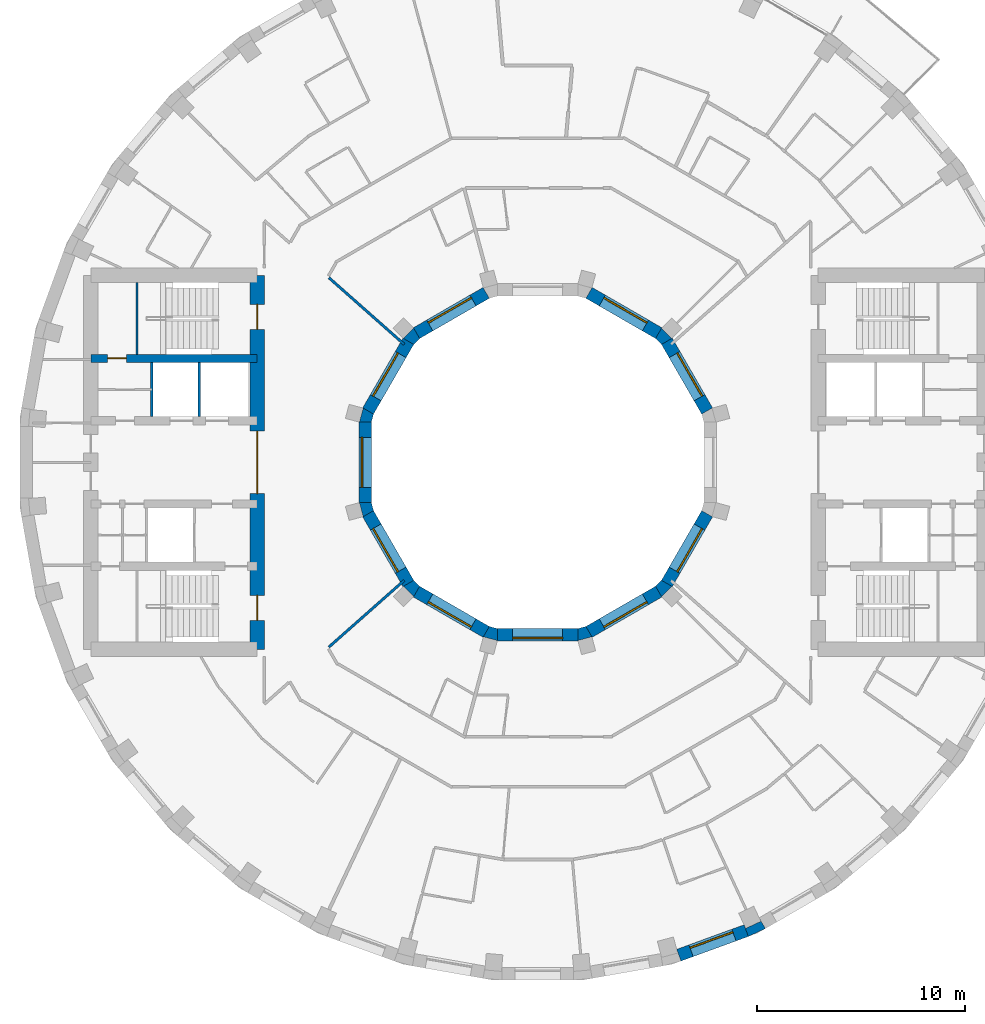
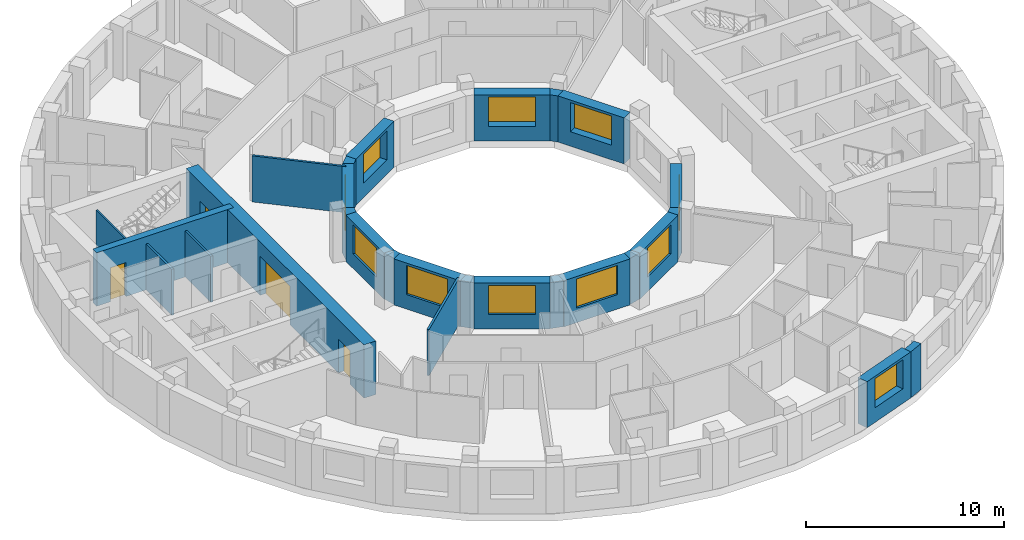
# One storey, part 6 of 13: 27 walls, 11 windows, 4 doors, 15 openings.
"""IFC4 building model written with IfcOpenShell, lengths in metres."""

from ifc_helpers import new_model, si_unit, direction, frame, frame_2d, origin, place, context, subcontext, project, spatial, polyline, rectangle, outline, extrude, material, layer, layer_set, type_object, element, fill, save


model = new_model("IFC4")

# Units and contexts
model_context = context("Model", 3, precision=1e-05, world=origin(), true_north=direction((0.0, 1.0)))
body_context = subcontext(model_context, "Body", "Model", "MODEL_VIEW")
ifc_project = project(units=[si_unit("LENGTHUNIT", "METRE"), si_unit("AREAUNIT", "SQUARE_METRE"), si_unit("VOLUMEUNIT", "CUBIC_METRE"), si_unit("PLANEANGLEUNIT", "RADIAN"), si_unit("MASSUNIT", "GRAM", prefix="KILO")], contexts=[model_context])

# Site, building, storey
site_placement = place(None, origin())
site = spatial("IfcSite", under=ifc_project, at=site_placement, CompositionType="ELEMENT")
building_placement = place(site_placement, origin())
building = spatial("IfcBuilding", under=site, at=building_placement, Name="Saqina Gate Tower", CompositionType="ELEMENT")
storey_placement = place(building_placement, frame((0.0, 0.0, 200.39990234375)))
storey = spatial("IfcBuildingStorey", under=building, at=storey_placement, Name="L57", CompositionType="ELEMENT", Elevation=200.39990234375)

# Wall
ifc_material_1 = material(Name="Brick masonry (buff)", Category="masonry")
wall_type_1 = type_object("IfcWallType", Name="BRICK PIER COPING BUFF", PredefinedType="SOLIDWALL", material=ifc_material_1)
wall_1_placement = place(storey_placement, origin())
element("IfcWall", 1, at=wall_1_placement, inside=storey, type_object=wall_type_1, Name="Pier cap L57 column 30", PredefinedType="SOLIDWALL", context=body_context, shape_type="SweptSolid", body=[
    extrude(outline(polyline([(10.958740234375, -22.4306640625), (10.65869140625, -21.9111328125), (10.73779296875, -22.080810546875), (10.0126953125, -22.4189453125), (9.93359375, -22.249267578125), (10.138916015625, -22.81298828125), (10.958740234375, -22.4306640625)])), origin(), (0.0, 0.0, 1.0), 2.85009765625),
])

# Wall, opening, window
ifc_material_2 = material(Name="Brick masonry (buff)", Category="masonry")
ifc_layer_1 = layer(ifc_material_2, 0.60009765625)
ifc_layer_set_1 = layer_set([ifc_layer_1], Name="FW-BRICK-BUFF")
wall_type_2 = type_object("IfcWallType", Name="FW-BRICK-BUFF", PredefinedType="SOLIDWALL", material=ifc_layer_set_1)
wall_2_placement = place(storey_placement, frame((6.79443359375, -23.7109375, 0.0), z_axis=(0.0, 0.0, 1.0), x_axis=(0.93968799822, 0.342032843455, 0.0)))
wall_2 = element("IfcWall", 2, at=wall_2_placement, inside=storey, type_object=wall_type_2, Name="Facade wall L57 facet 29", PredefinedType="SOLIDWALL", context=body_context, shape_type="SweptSolid", body=[
    extrude(rectangle(XDim=3.44970703125, YDim=0.60009765625, at=frame_2d((1.724853515625, 0.0))), origin(), (0.0, 0.0, 1.0), 2.85009765625),
])
opening_1_placement = place(wall_2_placement, frame((0.625, 0.0, 0.89990234375)))
opening_1 = element("IfcOpeningElement", 3, at=opening_1_placement, cuts=wall_2, Name="Opening G17-W18", PredefinedType="OPENING", context=body_context, shape_type="SweptSolid", body=[
    extrude(rectangle(XDim=2.199951171875, YDim=1.800048828125, at=frame_2d((1.10009765625, 0.89990234375))), frame((0.0, 0.31201171875, 0.0), z_axis=(0.0, -1.0, 0.0), x_axis=(1.0, 0.0, 0.0)), (0.0, 0.0, 1.0), 0.6240234375),
])
ifc_material_3 = material(Name="Aluminium glazing", Category="aluminium")
window_type_1 = type_object("IfcWindowType", Name="WN-C", PartitioningType="SINGLE_PANEL", PredefinedType="WINDOW", material=ifc_material_3)
window_1_placement = place(opening_1_placement, origin())
window_1 = element("IfcWindow", 4, at=window_1_placement, inside=storey, type_object=window_type_1, Name="Window L57 facet 29", OverallHeight=1.800048828125, OverallWidth=2.199951171875, PartitioningType="SINGLE_PANEL", PredefinedType="WINDOW", context=body_context, shape_type="SweptSolid", body=[
    extrude(rectangle(XDim=2.199951171875, YDim=1.800048828125, at=frame_2d((1.10009765625, 0.89990234375))), frame((0.0, 0.179931640625, 0.0), z_axis=(0.0, -1.0, 0.0), x_axis=(1.0, 0.0, 0.0)), (0.0, 0.0, 1.0), 0.06005859375),
])
fill(opening_1, window_1)

ifc_material_4 = material(Name="Glazed ceramic tile", Category="ceramic")
ifc_layer_2 = layer(ifc_material_4, 0.60009765625)
ifc_layer_set_2 = layer_set([ifc_layer_2], Name="IW-TILE")
wall_type_3 = type_object("IfcWallType", Name="IW-TILE", PredefinedType="SOLIDWALL", material=ifc_layer_set_2)
wall_3_placement = place(storey_placement, frame((8.155517578125, 2.474365234375, 0.0), z_axis=(0.0, 0.0, 1.0), x_axis=(-0.500033728941, 0.866005929495, 0.0)))
wall_3 = element("IfcWall", 5, at=wall_3_placement, inside=storey, type_object=wall_type_3, Name="Well wall L57 facet 1", PredefinedType="SOLIDWALL", context=body_context, shape_type="SweptSolid", body=[
    extrude(rectangle(XDim=3.869873046875, YDim=0.60009765625, at=frame_2d((1.93505859375, 0.0))), origin(), (0.0, 0.0, 1.0), 2.85009765625),
])
opening_2_placement = place(wall_3_placement, frame((0.73486328125, 0.0, 0.89990234375)))
opening_2 = element("IfcOpeningElement", 6, at=opening_2_placement, cuts=wall_3, Name="Opening G17-W23", PredefinedType="OPENING", context=body_context, shape_type="SweptSolid", body=[
    extrude(rectangle(XDim=2.39990234375, YDim=1.800048828125, at=frame_2d((1.199951171875, 0.89990234375))), frame((0.0, 0.31201171875, 0.0), z_axis=(0.0, -1.0, 0.0), x_axis=(1.0, 0.0, 0.0)), (0.0, 0.0, 1.0), 0.6240234375),
])
ifc_material_5 = material(Name="Aluminium glazing", Category="aluminium")
window_type_2 = type_object("IfcWindowType", Name="WN-W", PartitioningType="SINGLE_PANEL", PredefinedType="WINDOW", material=ifc_material_5)
window_2_placement = place(opening_2_placement, origin())
window_2 = element("IfcWindow", 7, at=window_2_placement, inside=storey, type_object=window_type_2, Name="Well window L57 facet 1", OverallHeight=1.800048828125, OverallWidth=2.39990234375, PartitioningType="SINGLE_PANEL", PredefinedType="WINDOW", context=body_context, shape_type="SweptSolid", body=[
    extrude(rectangle(XDim=2.39990234375, YDim=1.800048828125, at=frame_2d((1.199951171875, 0.89990234375))), frame((0.0, -0.119873046875, 0.0), z_axis=(0.0, -1.0, 0.0), x_axis=(1.0, 0.0, 0.0)), (0.0, 0.0, 1.0), 0.06005859375),
])
fill(opening_2, window_2)

wall_4_placement = place(storey_placement, frame((5.82568359375, 6.220458984375, 0.0), z_axis=(0.0, 0.0, 1.0), x_axis=(-0.866005929495, 0.500033728941, 0.0)))
wall_4 = element("IfcWall", 8, at=wall_4_placement, inside=storey, type_object=wall_type_3, Name="Well wall L57 facet 2", PredefinedType="SOLIDWALL", context=body_context, shape_type="SweptSolid", body=[
    extrude(rectangle(XDim=3.869873046875, YDim=0.60009765625, at=frame_2d((1.93505859375, 0.0))), origin(), (0.0, 0.0, 1.0), 2.85009765625),
])
opening_3_placement = place(wall_4_placement, frame((0.73486328125, 0.0, 0.89990234375)))
opening_3 = element("IfcOpeningElement", 9, at=opening_3_placement, cuts=wall_4, Name="Opening G17-W24", PredefinedType="OPENING", context=body_context, shape_type="SweptSolid", body=[
    extrude(rectangle(XDim=2.39990234375, YDim=1.800048828125, at=frame_2d((1.199951171875, 0.89990234375))), frame((0.0, 0.31201171875, 0.0), z_axis=(0.0, -1.0, 0.0), x_axis=(1.0, 0.0, 0.0)), (0.0, 0.0, 1.0), 0.6240234375),
])
window_3_placement = place(opening_3_placement, origin())
window_3 = element("IfcWindow", 10, at=window_3_placement, inside=storey, type_object=window_type_2, Name="Well window L57 facet 2", OverallHeight=1.800048828125, OverallWidth=2.39990234375, PartitioningType="SINGLE_PANEL", PredefinedType="WINDOW", context=body_context, shape_type="SweptSolid", body=[
    extrude(rectangle(XDim=2.39990234375, YDim=1.800048828125, at=frame_2d((1.199951171875, 0.89990234375))), frame((0.0, -0.119873046875, 0.0), z_axis=(0.0, -1.0, 0.0), x_axis=(1.0, 0.0, 0.0)), (0.0, 0.0, 1.0), 0.06005859375),
])
fill(opening_3, window_3)

wall_5_placement = place(storey_placement, frame((-2.474365234375, 8.155517578125, 0.0), z_axis=(0.0, 0.0, 1.0), x_axis=(-0.866005929495, -0.500033728941, 0.0)))
wall_5 = element("IfcWall", 11, at=wall_5_placement, inside=storey, type_object=wall_type_3, Name="Well wall L57 facet 4", PredefinedType="SOLIDWALL", context=body_context, shape_type="SweptSolid", body=[
    extrude(rectangle(XDim=3.869873046875, YDim=0.60009765625, at=frame_2d((1.93505859375, 0.0))), origin(), (0.0, 0.0, 1.0), 2.85009765625),
])
opening_4_placement = place(wall_5_placement, frame((0.73486328125, 0.0, 0.89990234375)))
opening_4 = element("IfcOpeningElement", 12, at=opening_4_placement, cuts=wall_5, Name="Opening G17-W26", PredefinedType="OPENING", context=body_context, shape_type="SweptSolid", body=[
    extrude(rectangle(XDim=2.39990234375, YDim=1.800048828125, at=frame_2d((1.199951171875, 0.89990234375))), frame((0.0, 0.31201171875, 0.0), z_axis=(0.0, -1.0, 0.0), x_axis=(1.0, 0.0, 0.0)), (0.0, 0.0, 1.0), 0.6240234375),
])
window_4_placement = place(opening_4_placement, origin())
window_4 = element("IfcWindow", 13, at=window_4_placement, inside=storey, type_object=window_type_2, Name="Well window L57 facet 4", OverallHeight=1.800048828125, OverallWidth=2.39990234375, PartitioningType="SINGLE_PANEL", PredefinedType="WINDOW", context=body_context, shape_type="SweptSolid", body=[
    extrude(rectangle(XDim=2.39990234375, YDim=1.800048828125, at=frame_2d((1.199951171875, 0.89990234375))), frame((0.0, -0.119873046875, 0.0), z_axis=(0.0, -1.0, 0.0), x_axis=(1.0, 0.0, 0.0)), (0.0, 0.0, 1.0), 0.06005859375),
])
fill(opening_4, window_4)

wall_6_placement = place(storey_placement, frame((-6.220458984375, 5.82568359375, 0.0), z_axis=(0.0, 0.0, 1.0), x_axis=(-0.500033728941, -0.866005929495, 0.0)))
wall_6 = element("IfcWall", 14, at=wall_6_placement, inside=storey, type_object=wall_type_3, Name="Well wall L57 facet 5", PredefinedType="SOLIDWALL", context=body_context, shape_type="SweptSolid", body=[
    extrude(rectangle(XDim=3.869873046875, YDim=0.60009765625, at=frame_2d((1.93505859375, 0.0))), origin(), (0.0, 0.0, 1.0), 2.85009765625),
])
opening_5_placement = place(wall_6_placement, frame((0.73486328125, 0.0, 0.89990234375)))
opening_5 = element("IfcOpeningElement", 15, at=opening_5_placement, cuts=wall_6, Name="Opening G17-W27", PredefinedType="OPENING", context=body_context, shape_type="SweptSolid", body=[
    extrude(rectangle(XDim=2.39990234375, YDim=1.800048828125, at=frame_2d((1.199951171875, 0.89990234375))), frame((0.0, 0.31201171875, 0.0), z_axis=(0.0, -1.0, 0.0), x_axis=(1.0, 0.0, 0.0)), (0.0, 0.0, 1.0), 0.6240234375),
])
window_5_placement = place(opening_5_placement, origin())
window_5 = element("IfcWindow", 16, at=window_5_placement, inside=storey, type_object=window_type_2, Name="Well window L57 facet 5", OverallHeight=1.800048828125, OverallWidth=2.39990234375, PartitioningType="SINGLE_PANEL", PredefinedType="WINDOW", context=body_context, shape_type="SweptSolid", body=[
    extrude(rectangle(XDim=2.39990234375, YDim=1.800048828125, at=frame_2d((1.199951171875, 0.89990234375))), frame((0.0, -0.119873046875, 0.0), z_axis=(0.0, -1.0, 0.0), x_axis=(1.0, 0.0, 0.0)), (0.0, 0.0, 1.0), 0.06005859375),
])
fill(opening_5, window_5)

wall_7_placement = place(storey_placement, frame((-8.300048828125, 1.934814453125, 0.0), z_axis=(0.0, 0.0, 1.0), x_axis=(0.0, -1.0, 0.0)))
wall_7 = element("IfcWall", 17, at=wall_7_placement, inside=storey, type_object=wall_type_3, Name="Well wall L57 facet 6", PredefinedType="SOLIDWALL", context=body_context, shape_type="SweptSolid", body=[
    extrude(rectangle(XDim=3.86962890625, YDim=0.60009765625, at=frame_2d((1.934814453125, 0.0))), origin(), (0.0, 0.0, 1.0), 2.85009765625),
])
opening_6_placement = place(wall_7_placement, frame((0.73486328125, 0.0, 0.89990234375)))
opening_6 = element("IfcOpeningElement", 18, at=opening_6_placement, cuts=wall_7, Name="Opening G17-W28", PredefinedType="OPENING", context=body_context, shape_type="SweptSolid", body=[
    extrude(rectangle(XDim=2.39990234375, YDim=1.800048828125, at=frame_2d((1.199951171875, 0.89990234375))), frame((0.0, 0.31201171875, 0.0), z_axis=(0.0, -1.0, 0.0), x_axis=(1.0, 0.0, 0.0)), (0.0, 0.0, 1.0), 0.6240234375),
])
window_6_placement = place(opening_6_placement, origin())
window_6 = element("IfcWindow", 19, at=window_6_placement, inside=storey, type_object=window_type_2, Name="Well window L57 facet 6", OverallHeight=1.800048828125, OverallWidth=2.39990234375, PartitioningType="SINGLE_PANEL", PredefinedType="WINDOW", context=body_context, shape_type="SweptSolid", body=[
    extrude(rectangle(XDim=2.39990234375, YDim=1.800048828125, at=frame_2d((1.199951171875, 0.89990234375))), frame((0.0, -0.119873046875, 0.0), z_axis=(0.0, -1.0, 0.0), x_axis=(1.0, 0.0, 0.0)), (0.0, 0.0, 1.0), 0.06005859375),
])
fill(opening_6, window_6)

wall_8_placement = place(storey_placement, frame((-8.155517578125, -2.474365234375, 0.0), z_axis=(0.0, 0.0, 1.0), x_axis=(0.500033728941, -0.866005929495, 0.0)))
wall_8 = element("IfcWall", 20, at=wall_8_placement, inside=storey, type_object=wall_type_3, Name="Well wall L57 facet 7", PredefinedType="SOLIDWALL", context=body_context, shape_type="SweptSolid", body=[
    extrude(rectangle(XDim=3.869873046875, YDim=0.60009765625, at=frame_2d((1.93505859375, 0.0))), origin(), (0.0, 0.0, 1.0), 2.85009765625),
])
opening_7_placement = place(wall_8_placement, frame((0.73486328125, 0.0, 0.89990234375)))
opening_7 = element("IfcOpeningElement", 21, at=opening_7_placement, cuts=wall_8, Name="Opening G17-W29", PredefinedType="OPENING", context=body_context, shape_type="SweptSolid", body=[
    extrude(rectangle(XDim=2.39990234375, YDim=1.800048828125, at=frame_2d((1.199951171875, 0.89990234375))), frame((0.0, 0.31201171875, 0.0), z_axis=(0.0, -1.0, 0.0), x_axis=(1.0, 0.0, 0.0)), (0.0, 0.0, 1.0), 0.6240234375),
])
window_7_placement = place(opening_7_placement, origin())
window_7 = element("IfcWindow", 22, at=window_7_placement, inside=storey, type_object=window_type_2, Name="Well window L57 facet 7", OverallHeight=1.800048828125, OverallWidth=2.39990234375, PartitioningType="SINGLE_PANEL", PredefinedType="WINDOW", context=body_context, shape_type="SweptSolid", body=[
    extrude(rectangle(XDim=2.39990234375, YDim=1.800048828125, at=frame_2d((1.199951171875, 0.89990234375))), frame((0.0, -0.119873046875, 0.0), z_axis=(0.0, -1.0, 0.0), x_axis=(1.0, 0.0, 0.0)), (0.0, 0.0, 1.0), 0.06005859375),
])
fill(opening_7, window_7)

wall_9_placement = place(storey_placement, frame((-5.82568359375, -6.220458984375, 0.0), z_axis=(0.0, 0.0, 1.0), x_axis=(0.866005929495, -0.500033728941, 0.0)))
wall_9 = element("IfcWall", 23, at=wall_9_placement, inside=storey, type_object=wall_type_3, Name="Well wall L57 facet 8", PredefinedType="SOLIDWALL", context=body_context, shape_type="SweptSolid", body=[
    extrude(rectangle(XDim=3.869873046875, YDim=0.60009765625, at=frame_2d((1.93505859375, 0.0))), origin(), (0.0, 0.0, 1.0), 2.85009765625),
])
opening_8_placement = place(wall_9_placement, frame((0.73486328125, 0.0, 0.89990234375)))
opening_8 = element("IfcOpeningElement", 24, at=opening_8_placement, cuts=wall_9, Name="Opening G17-W30", PredefinedType="OPENING", context=body_context, shape_type="SweptSolid", body=[
    extrude(rectangle(XDim=2.39990234375, YDim=1.800048828125, at=frame_2d((1.199951171875, 0.89990234375))), frame((0.0, 0.31201171875, 0.0), z_axis=(0.0, -1.0, 0.0), x_axis=(1.0, 0.0, 0.0)), (0.0, 0.0, 1.0), 0.6240234375),
])
window_8_placement = place(opening_8_placement, origin())
window_8 = element("IfcWindow", 25, at=window_8_placement, inside=storey, type_object=window_type_2, Name="Well window L57 facet 8", OverallHeight=1.800048828125, OverallWidth=2.39990234375, PartitioningType="SINGLE_PANEL", PredefinedType="WINDOW", context=body_context, shape_type="SweptSolid", body=[
    extrude(rectangle(XDim=2.39990234375, YDim=1.800048828125, at=frame_2d((1.199951171875, 0.89990234375))), frame((0.0, -0.119873046875, 0.0), z_axis=(0.0, -1.0, 0.0), x_axis=(1.0, 0.0, 0.0)), (0.0, 0.0, 1.0), 0.06005859375),
])
fill(opening_8, window_8)

wall_10_placement = place(storey_placement, frame((-1.934814453125, -8.300048828125, 0.0), z_axis=(0.0, 0.0, 1.0), x_axis=(1.0, 0.0, 0.0)))
wall_10 = element("IfcWall", 26, at=wall_10_placement, inside=storey, type_object=wall_type_3, Name="Well wall L57 facet 9", PredefinedType="SOLIDWALL", context=body_context, shape_type="SweptSolid", body=[
    extrude(rectangle(XDim=3.86962890625, YDim=0.60009765625, at=frame_2d((1.934814453125, 0.0))), origin(), (0.0, 0.0, 1.0), 2.85009765625),
])
opening_9_placement = place(wall_10_placement, frame((0.73486328125, 0.0, 0.89990234375)))
opening_9 = element("IfcOpeningElement", 27, at=opening_9_placement, cuts=wall_10, Name="Opening G17-W31", PredefinedType="OPENING", context=body_context, shape_type="SweptSolid", body=[
    extrude(rectangle(XDim=2.39990234375, YDim=1.800048828125, at=frame_2d((1.199951171875, 0.89990234375))), frame((0.0, 0.31201171875, 0.0), z_axis=(0.0, -1.0, 0.0), x_axis=(1.0, 0.0, 0.0)), (0.0, 0.0, 1.0), 0.6240234375),
])
window_9_placement = place(opening_9_placement, origin())
window_9 = element("IfcWindow", 28, at=window_9_placement, inside=storey, type_object=window_type_2, Name="Well window L57 facet 9", OverallHeight=1.800048828125, OverallWidth=2.39990234375, PartitioningType="SINGLE_PANEL", PredefinedType="WINDOW", context=body_context, shape_type="SweptSolid", body=[
    extrude(rectangle(XDim=2.39990234375, YDim=1.800048828125, at=frame_2d((1.199951171875, 0.89990234375))), frame((0.0, -0.119873046875, 0.0), z_axis=(0.0, -1.0, 0.0), x_axis=(1.0, 0.0, 0.0)), (0.0, 0.0, 1.0), 0.06005859375),
])
fill(opening_9, window_9)

wall_11_placement = place(storey_placement, frame((2.474365234375, -8.155517578125, 0.0), z_axis=(0.0, 0.0, 1.0), x_axis=(0.866005929495, 0.500033728941, 0.0)))
wall_11 = element("IfcWall", 29, at=wall_11_placement, inside=storey, type_object=wall_type_3, Name="Well wall L57 facet 10", PredefinedType="SOLIDWALL", context=body_context, shape_type="SweptSolid", body=[
    extrude(rectangle(XDim=3.869873046875, YDim=0.60009765625, at=frame_2d((1.93505859375, 0.0))), origin(), (0.0, 0.0, 1.0), 2.85009765625),
])
opening_10_placement = place(wall_11_placement, frame((0.73486328125, 0.0, 0.89990234375)))
opening_10 = element("IfcOpeningElement", 30, at=opening_10_placement, cuts=wall_11, Name="Opening G17-W32", PredefinedType="OPENING", context=body_context, shape_type="SweptSolid", body=[
    extrude(rectangle(XDim=2.39990234375, YDim=1.800048828125, at=frame_2d((1.199951171875, 0.89990234375))), frame((0.0, 0.31201171875, 0.0), z_axis=(0.0, -1.0, 0.0), x_axis=(1.0, 0.0, 0.0)), (0.0, 0.0, 1.0), 0.6240234375),
])
window_10_placement = place(opening_10_placement, origin())
window_10 = element("IfcWindow", 31, at=window_10_placement, inside=storey, type_object=window_type_2, Name="Well window L57 facet 10", OverallHeight=1.800048828125, OverallWidth=2.39990234375, PartitioningType="SINGLE_PANEL", PredefinedType="WINDOW", context=body_context, shape_type="SweptSolid", body=[
    extrude(rectangle(XDim=2.39990234375, YDim=1.800048828125, at=frame_2d((1.199951171875, 0.89990234375))), frame((0.0, -0.119873046875, 0.0), z_axis=(0.0, -1.0, 0.0), x_axis=(1.0, 0.0, 0.0)), (0.0, 0.0, 1.0), 0.06005859375),
])
fill(opening_10, window_10)

wall_12_placement = place(storey_placement, frame((6.220458984375, -5.82568359375, 0.0), z_axis=(0.0, 0.0, 1.0), x_axis=(0.500033728941, 0.866005929495, 0.0)))
wall_12 = element("IfcWall", 32, at=wall_12_placement, inside=storey, type_object=wall_type_3, Name="Well wall L57 facet 11", PredefinedType="SOLIDWALL", context=body_context, shape_type="SweptSolid", body=[
    extrude(rectangle(XDim=3.869873046875, YDim=0.60009765625, at=frame_2d((1.93505859375, 0.0))), origin(), (0.0, 0.0, 1.0), 2.85009765625),
])
opening_11_placement = place(wall_12_placement, frame((0.73486328125, 0.0, 0.89990234375)))
opening_11 = element("IfcOpeningElement", 33, at=opening_11_placement, cuts=wall_12, Name="Opening G17-W33", PredefinedType="OPENING", context=body_context, shape_type="SweptSolid", body=[
    extrude(rectangle(XDim=2.39990234375, YDim=1.800048828125, at=frame_2d((1.199951171875, 0.89990234375))), frame((0.0, 0.31201171875, 0.0), z_axis=(0.0, -1.0, 0.0), x_axis=(1.0, 0.0, 0.0)), (0.0, 0.0, 1.0), 0.6240234375),
])
window_11_placement = place(opening_11_placement, origin())
window_11 = element("IfcWindow", 34, at=window_11_placement, inside=storey, type_object=window_type_2, Name="Well window L57 facet 11", OverallHeight=1.800048828125, OverallWidth=2.39990234375, PartitioningType="SINGLE_PANEL", PredefinedType="WINDOW", context=body_context, shape_type="SweptSolid", body=[
    extrude(rectangle(XDim=2.39990234375, YDim=1.800048828125, at=frame_2d((1.199951171875, 0.89990234375))), frame((0.0, -0.119873046875, 0.0), z_axis=(0.0, -1.0, 0.0), x_axis=(1.0, 0.0, 0.0)), (0.0, 0.0, 1.0), 0.06005859375),
])
fill(opening_11, window_11)

# Walls
ifc_material_6 = material(Name="Gypsum board on steel studs, 125 mm, fire rated", Category="steel")
ifc_layer_3 = layer(ifc_material_6, 0.125)
ifc_layer_set_3 = layer_set([ifc_layer_3], Name="PARTITION EI 30 125")
wall_type_4 = type_object("IfcWallType", Name="PARTITION EI 30 125", PredefinedType="PARTITIONING", material=ifc_layer_set_3)
for number, where, z_axis, x_axis, name in (
    (35, (-10.0439453125, 8.885986328125, 0.0), (0.0, 0.0, 1.0), (0.748977300745, -0.662595655712, 0.0), "PARTITION PW1-11"),
    (36, (-10.0439453125, -8.885986328125, 0.0), (0.0, 0.0, 1.0), (0.748977300745, 0.662595655712, 0.0), "PARTITION PW1-37"),
):
    element("IfcWall", number, at=place(storey_placement, frame(where, z_axis=z_axis, x_axis=x_axis)), inside=storey, type_object=wall_type_4, Name=name, PredefinedType="PARTITIONING", context=body_context, shape_type="SweptSolid", body=[
        extrude(rectangle(XDim=4.838623046875, YDim=0.125, at=frame_2d((2.41943359375, 0.0))), origin(), (0.0, 0.0, 1.0), 2.85009765625),
    ])
ifc_material_7 = material(Name="Autoclaved aerated concrete block", Category="concrete")
ifc_layer_4 = layer(ifc_material_7, 0.1201171875)
ifc_layer_set_4 = layer_set([ifc_layer_4], Name="SHAFT PARTITION")
wall_type_5 = type_object("IfcWallType", Name="SHAFT PARTITION", PredefinedType="PARTITIONING", material=ifc_layer_set_4)
for number, where, z_axis, x_axis, name in (
    (37, (-16.280029296875, 2.199951171875, 0.0), (0.0, 0.0, 1.0), (0.0, 1.0, 0.0), "L57-CP-W05"),
    (38, (-18.56005859375, 2.199951171875, 0.0), (0.0, 0.0, 1.0), (0.0, 1.0, 0.0), "L57-CP-W06"),
):
    element("IfcWall", number, at=place(storey_placement, frame(where, z_axis=z_axis, x_axis=x_axis)), inside=storey, type_object=wall_type_5, Name=name, PredefinedType="PARTITIONING", context=body_context, shape_type="SweptSolid", body=[
        extrude(rectangle(XDim=2.60009765625, YDim=0.1201171875, at=frame_2d((1.300048828125, 0.0))), origin(), (0.0, 0.0, 1.0), 2.85009765625),
    ])
ifc_material_8 = material(Name="Autoclaved aerated concrete block", Category="concrete")
ifc_layer_5 = layer(ifc_material_8, 0.10009765625)
ifc_layer_set_5 = layer_set([ifc_layer_5], Name="STAIR ENCLOSURE WALL")
wall_type_6 = type_object("IfcWallType", Name="STAIR ENCLOSURE WALL", PredefinedType="PARTITIONING", material=ifc_layer_set_5)
wall_13_placement = place(storey_placement, frame((-19.27001953125, 5.199951171875, 0.0), z_axis=(0.0, 0.0, 1.0), x_axis=(0.0, 1.0, 0.0)))
element("IfcWall", 39, at=wall_13_placement, inside=storey, type_object=wall_type_6, Name="L57-CP-W13", PredefinedType="PARTITIONING", context=body_context, shape_type="SweptSolid", body=[
    extrude(rectangle(XDim=3.449951171875, YDim=0.10009765625, at=frame_2d((1.72509765625, 0.0))), origin(), (0.0, 0.0, 1.0), 2.85009765625),
])

# Wall, opening, door
ifc_material_9 = material(Name="Concrete C60/75", Category="concrete")
ifc_layer_6 = layer(ifc_material_9, 0.39990234375)
ifc_layer_set_6 = layer_set([ifc_layer_6], Name="Concrete C60/75")
wall_type_7 = type_object("IfcWallType", Name="STR-CORE WALL-C-I", PredefinedType="SHEAR", material=ifc_layer_set_6)
wall_14_placement = place(storey_placement, frame((-13.5, 5.0, 0.0), z_axis=(0.0, 0.0, 1.0), x_axis=(-1.0, 0.0, 0.0)))
wall_14 = element("IfcWall", 40, at=wall_14_placement, inside=storey, type_object=wall_type_7, Name="CORE WALL L57 W-X1", PredefinedType="SHEAR", context=body_context, shape_type="SweptSolid", body=[
    extrude(rectangle(XDim=8.0, YDim=0.39990234375, at=frame_2d((4.0, 0.0))), origin(), (0.0, 0.0, 1.0), 3.300048828125),
])
opening_12_placement = place(wall_14_placement, frame((6.284912109375, 0.0, 0.0)))
opening_12 = element("IfcOpeningElement", 41, at=opening_12_placement, cuts=wall_14, Name="Opening G17-D114", PredefinedType="OPENING", context=body_context, shape_type="SweptSolid", body=[
    extrude(rectangle(XDim=0.89990234375, YDim=2.10009765625, at=frame_2d((0.449951171875, 1.050048828125))), frame((0.0, 0.2119140625, 0.0), z_axis=(0.0, -1.0, 0.0), x_axis=(1.0, 0.0, 0.0)), (0.0, 0.0, 1.0), 0.423828125),
])
ifc_material_10 = material(Name="Steel-framed fire door leaf, EI 60", Category="steel")
door_type_1 = type_object("IfcDoorType", Name="SERVICE ROOM DOOR 900", OperationType="SINGLE_SWING_LEFT", PredefinedType="DOOR", material=ifc_material_10)
door_1_placement = place(opening_12_placement, frame((0.89990234375, 0.0, 0.0), z_axis=(0.0, 0.0, 1.0), x_axis=(-1.0, 0.0, 0.0)))
door_1 = element("IfcDoor", 42, at=door_1_placement, inside=storey, type_object=door_type_1, Name="L57-CD-W25", OperationType="SINGLE_SWING_LEFT", OverallHeight=2.10009765625, OverallWidth=0.89990234375, PredefinedType="DOOR", context=body_context, shape_type="SweptSolid", body=[
    extrude(rectangle(XDim=0.89990234375, YDim=2.10009765625, at=frame_2d((0.449951171875, 1.050048828125))), frame((0.0, 0.02490234375, 0.0), z_axis=(0.0, -1.0, 0.0), x_axis=(1.0, 0.0, 0.0)), (0.0, 0.0, 1.0), 0.050048828125),
])
fill(opening_12, door_1)

# Wall, openings, doors
ifc_material_11 = material(Name="Concrete C60/75", Category="concrete")
ifc_layer_7 = layer(ifc_material_11, 0.699951171875)
ifc_layer_set_7 = layer_set([ifc_layer_7], Name="Concrete C60/75")
wall_type_8 = type_object("IfcWallType", Name="STR-CORE WALL-C-O", PredefinedType="SHEAR", material=ifc_layer_set_7)
wall_15_placement = place(storey_placement, frame((-13.5, -9.0, 0.0), z_axis=(0.0, 0.0, 1.0), x_axis=(0.0, 1.0, 0.0)))
wall_15 = element("IfcWall", 43, at=wall_15_placement, inside=storey, type_object=wall_type_8, Name="CORE WALL L57 W-W1", PredefinedType="SHEAR", context=body_context, shape_type="SweptSolid", body=[
    extrude(rectangle(XDim=18.0, YDim=0.699951171875, at=frame_2d((9.0, 0.0))), origin(), (0.0, 0.0, 1.0), 3.300048828125),
])
opening_13_placement = place(wall_15_placement, frame((15.39990234375, 0.0, 0.0)))
opening_13 = element("IfcOpeningElement", 44, at=opening_13_placement, cuts=wall_15, Name="Opening G17-D119", PredefinedType="OPENING", context=body_context, shape_type="SweptSolid", body=[
    extrude(rectangle(XDim=1.199951171875, YDim=2.10009765625, at=frame_2d((0.60009765625, 1.050048828125))), frame((0.0, 0.362060546875, 0.0), z_axis=(0.0, -1.0, 0.0), x_axis=(1.0, 0.0, 0.0)), (0.0, 0.0, 1.0), 0.723876953125),
])
opening_14_placement = place(wall_15_placement, frame((1.39990234375, 0.0, 0.0)))
opening_14 = element("IfcOpeningElement", 45, at=opening_14_placement, cuts=wall_15, Name="Opening G17-D120", PredefinedType="OPENING", context=body_context, shape_type="SweptSolid", body=[
    extrude(rectangle(XDim=1.199951171875, YDim=2.10009765625, at=frame_2d((0.60009765625, 1.050048828125))), frame((0.0, 0.362060546875, 0.0), z_axis=(0.0, -1.0, 0.0), x_axis=(1.0, 0.0, 0.0)), (0.0, 0.0, 1.0), 0.723876953125),
])
opening_15_placement = place(wall_15_placement, frame((7.5, 0.0, 0.0)))
opening_15 = element("IfcOpeningElement", 46, at=opening_15_placement, cuts=wall_15, Name="Opening G17-D121", PredefinedType="OPENING", context=body_context, shape_type="SweptSolid", body=[
    extrude(rectangle(XDim=3.0, YDim=2.39990234375, at=frame_2d((1.5, 1.199951171875))), frame((0.0, 0.362060546875, 0.0), z_axis=(0.0, -1.0, 0.0), x_axis=(1.0, 0.0, 0.0)), (0.0, 0.0, 1.0), 0.723876953125),
])
ifc_material_12 = material(Name="Steel", Category="steel")
door_type_2 = type_object("IfcDoorType", Name="FIRE DOOR EI 60", OperationType="SINGLE_SWING_LEFT", PredefinedType="DOOR", material=ifc_material_12)
door_2_placement = place(opening_13_placement, origin())
door_2 = element("IfcDoor", 47, at=door_2_placement, inside=storey, type_object=door_type_2, Name="L57-CD-W30", OperationType="SINGLE_SWING_RIGHT", OverallHeight=2.10009765625, OverallWidth=1.199951171875, PredefinedType="DOOR", context=body_context, shape_type="SweptSolid", body=[
    extrude(rectangle(XDim=1.199951171875, YDim=2.10009765625, at=frame_2d((0.60009765625, 1.050048828125))), frame((0.0, 0.02490234375, 0.0), z_axis=(0.0, -1.0, 0.0), x_axis=(1.0, 0.0, 0.0)), (0.0, 0.0, 1.0), 0.050048828125),
])
fill(opening_13, door_2)
door_3_placement = place(opening_14_placement, origin())
door_3 = element("IfcDoor", 48, at=door_3_placement, inside=storey, type_object=door_type_2, Name="L57-CD-W31", OperationType="SINGLE_SWING_LEFT", OverallHeight=2.10009765625, OverallWidth=1.199951171875, PredefinedType="DOOR", context=body_context, shape_type="SweptSolid", body=[
    extrude(rectangle(XDim=1.199951171875, YDim=2.10009765625, at=frame_2d((0.60009765625, 1.050048828125))), frame((0.0, 0.02490234375, 0.0), z_axis=(0.0, -1.0, 0.0), x_axis=(1.0, 0.0, 0.0)), (0.0, 0.0, 1.0), 0.050048828125),
])
fill(opening_14, door_3)
ifc_material_13 = material(Name="Steel and fire-resisting glass", Category="steel")
door_type_3 = type_object("IfcDoorType", Name="LOBBY SCREEN DOOR", OperationType="DOUBLE_DOOR_SLIDING", PredefinedType="DOOR", material=ifc_material_13)
door_4_placement = place(opening_15_placement, origin())
door_4 = element("IfcDoor", 49, at=door_4_placement, inside=storey, type_object=door_type_3, Name="L57-CD-W32", OperationType="DOUBLE_DOOR_SLIDING", OverallHeight=2.39990234375, OverallWidth=3.0, PredefinedType="DOOR", context=body_context, shape_type="SweptSolid", body=[
    extrude(rectangle(XDim=3.0, YDim=2.39990234375, at=frame_2d((1.5, 1.199951171875))), frame((0.0, 0.02490234375, 0.0), z_axis=(0.0, -1.0, 0.0), x_axis=(1.0, 0.0, 0.0)), (0.0, 0.0, 1.0), 0.050048828125),
])
fill(opening_15, door_4)

# Walls
ifc_material_14 = material(Name="Glazed ceramic tile", Category="ceramic")
wall_type_9 = type_object("IfcWallType", Name="TILE PIER COPING", PredefinedType="SOLIDWALL", material=ifc_material_14)
wall_16_placement = place(storey_placement, origin())
element("IfcWall", 50, at=wall_16_placement, inside=storey, type_object=wall_type_9, Name="Well pier cap L57 column 2", PredefinedType="SOLIDWALL", context=body_context, shape_type="SweptSolid", body=[
    extrude(outline(polyline([(5.96240234375, 6.45751953125), (5.67578125, 5.960693359375), (5.960693359375, 5.67578125), (6.45751953125, 5.96240234375), (5.96240234375, 6.45751953125)])), origin(), (0.0, 0.0, 1.0), 2.85009765625),
])
wall_17_placement = place(storey_placement, origin())
element("IfcWall", 51, at=wall_17_placement, inside=storey, type_object=wall_type_9, Name="Well pier cap L57 column 5", PredefinedType="SOLIDWALL", context=body_context, shape_type="SweptSolid", body=[
    extrude(outline(polyline([(-6.45751953125, 5.96240234375), (-5.960693359375, 5.67578125), (-5.67578125, 5.960693359375), (-5.96240234375, 6.45751953125), (-6.45751953125, 5.96240234375)])), origin(), (0.0, 0.0, 1.0), 2.85009765625),
])
wall_18_placement = place(storey_placement, origin())
element("IfcWall", 52, at=wall_18_placement, inside=storey, type_object=wall_type_9, Name="Well pier cap L57 column 6", PredefinedType="SOLIDWALL", context=body_context, shape_type="SweptSolid", body=[
    extrude(outline(polyline([(-8.573486328125, 1.934814453125), (-8.0, 1.934814453125), (-7.895751953125, 2.32421875), (-8.392333984375, 2.611083984375), (-8.573486328125, 1.934814453125)])), origin(), (0.0, 0.0, 1.0), 2.85009765625),
])
wall_19_placement = place(storey_placement, origin())
element("IfcWall", 53, at=wall_19_placement, inside=storey, type_object=wall_type_9, Name="Well pier cap L57 column 7", PredefinedType="SOLIDWALL", context=body_context, shape_type="SweptSolid", body=[
    extrude(outline(polyline([(-8.0, -1.934814453125), (-8.573486328125, -1.934814453125), (-8.392333984375, -2.611083984375), (-7.895751953125, -2.32421875), (-8.0, -1.934814453125)])), origin(), (0.0, 0.0, 1.0), 2.85009765625),
])
wall_20_placement = place(storey_placement, origin())
element("IfcWall", 54, at=wall_20_placement, inside=storey, type_object=wall_type_9, Name="Well pier cap L57 column 8", PredefinedType="SOLIDWALL", context=body_context, shape_type="SweptSolid", body=[
    extrude(outline(polyline([(-6.45751953125, -5.96240234375), (-5.96240234375, -6.45751953125), (-5.67578125, -5.960693359375), (-5.960693359375, -5.67578125), (-6.45751953125, -5.96240234375)])), origin(), (0.0, 0.0, 1.0), 2.85009765625),
])
wall_21_placement = place(storey_placement, origin())
element("IfcWall", 55, at=wall_21_placement, inside=storey, type_object=wall_type_9, Name="Well pier cap L57 column 9", PredefinedType="SOLIDWALL", context=body_context, shape_type="SweptSolid", body=[
    extrude(outline(polyline([(-1.934814453125, -8.573486328125), (-1.934814453125, -8.0), (-2.32421875, -7.895751953125), (-2.611083984375, -8.392333984375), (-1.934814453125, -8.573486328125)])), origin(), (0.0, 0.0, 1.0), 2.85009765625),
])
wall_22_placement = place(storey_placement, origin())
element("IfcWall", 56, at=wall_22_placement, inside=storey, type_object=wall_type_9, Name="Well pier cap L57 column 10", PredefinedType="SOLIDWALL", context=body_context, shape_type="SweptSolid", body=[
    extrude(outline(polyline([(2.611083984375, -8.392333984375), (2.32421875, -7.895751953125), (1.934814453125, -8.0), (1.934814453125, -8.573486328125), (2.611083984375, -8.392333984375)])), origin(), (0.0, 0.0, 1.0), 2.85009765625),
])
wall_23_placement = place(storey_placement, origin())
element("IfcWall", 57, at=wall_23_placement, inside=storey, type_object=wall_type_9, Name="Well pier cap L57 column 11", PredefinedType="SOLIDWALL", context=body_context, shape_type="SweptSolid", body=[
    extrude(outline(polyline([(5.96240234375, -6.45751953125), (6.45751953125, -5.96240234375), (5.960693359375, -5.67578125), (5.67578125, -5.960693359375), (5.96240234375, -6.45751953125)])), origin(), (0.0, 0.0, 1.0), 2.85009765625),
])

save(model, "model.ifc")
